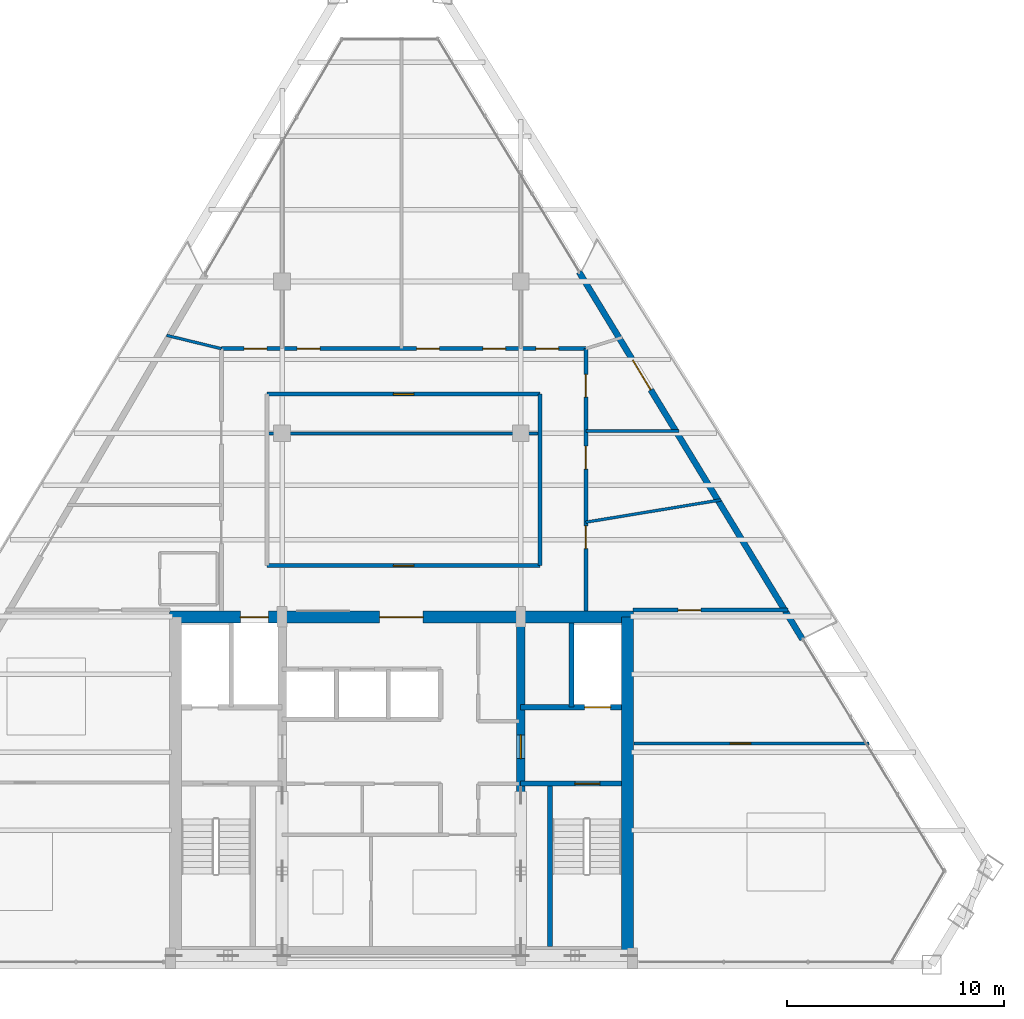
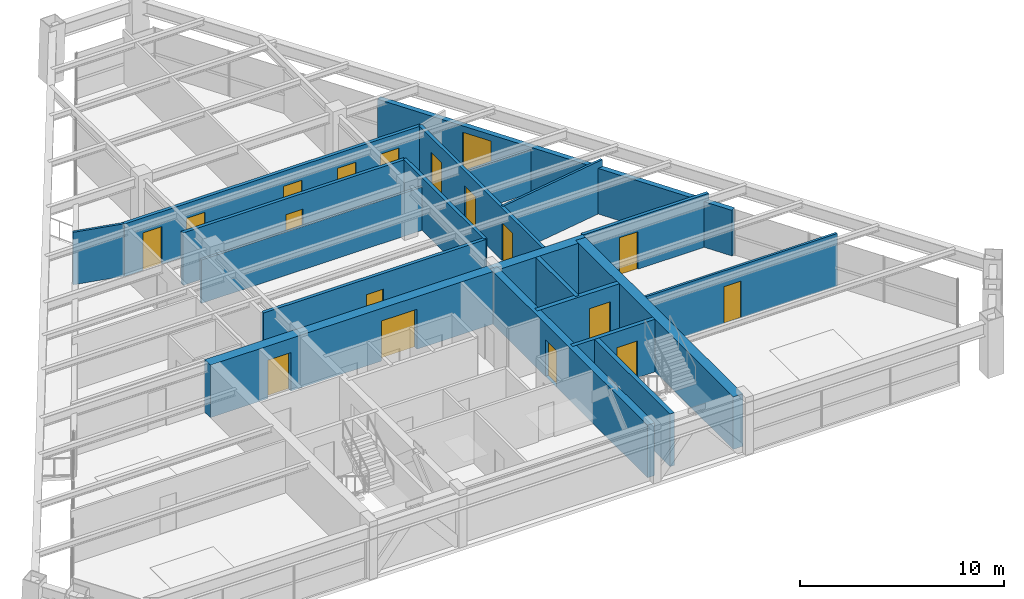
# One storey, part 10 of 13: 19 walls, 18 doors, 18 openings.
"""IFC4 building model written with IfcOpenShell, lengths in metres."""

from ifc_helpers import new_model, si_unit, direction, frame, frame_2d, origin, place, context, subcontext, project, spatial, rectangle, extrude, source, transform, mapped, material, layer, layer_set, type_object, type_shapes, element, fill, save


model = new_model("IFC4")

# Units and contexts
model_context = context("Model", 3, precision=1e-05, world=origin(), true_north=direction((0.0, 1.0)))
body_context = subcontext(model_context, "Body", "Model", "MODEL_VIEW")
ifc_project = project(units=[si_unit("LENGTHUNIT", "METRE"), si_unit("AREAUNIT", "SQUARE_METRE"), si_unit("VOLUMEUNIT", "CUBIC_METRE"), si_unit("PLANEANGLEUNIT", "RADIAN"), si_unit("MASSUNIT", "GRAM", prefix="KILO")], contexts=[model_context])

# Site, building, storey
site_placement = place(None, origin())
site = spatial("IfcSite", under=ifc_project, at=site_placement, CompositionType="ELEMENT")
building_placement = place(site_placement, origin())
building = spatial("IfcBuilding", under=site, at=building_placement, Name="Varnakhor Terracotta Tower", CompositionType="ELEMENT")
storey_placement = place(building_placement, frame((0.0, 0.0, 254.5)))
storey = spatial("IfcBuildingStorey", under=building, at=storey_placement, Name="L66", CompositionType="ELEMENT", Elevation=254.5)

# Wall, openings, doors
ifc_material_1 = material(Name="Concrete C50/60", Category="concrete")
ifc_layer_1 = layer(ifc_material_1, 0.550048828125, Name="Concrete C50/60")
ifc_layer_set_1 = layer_set([ifc_layer_1], Name="Concrete C50/60")
wall_type_1 = type_object("IfcWallType", Name="WAL-CORE-550", PredefinedType="SHEAR", material=ifc_layer_set_1)
wall_1_placement = place(storey_placement, frame((-10.699951171875, 16.02490234375, 0.0), z_axis=(0.0, 0.0, 1.0), x_axis=(1.0, 0.0, 0.0)))
wall_1 = element("IfcWall", 1, at=wall_1_placement, inside=storey, type_object=wall_type_1, Name="L66 North Core Shear Wall", PredefinedType="SHEAR", context=body_context, shape_type="SweptSolid", body=[
    extrude(rectangle(XDim=21.39990234375, YDim=0.550048828125, at=frame_2d((10.699951171875, 0.0))), origin(), (0.0, 0.0, 1.0), 3.14990234375),
])
opening_1_placement = place(wall_1_placement, frame((3.27001953125, 0.0, 0.0)))
opening_1 = element("IfcOpeningElement", 2, at=opening_1_placement, cuts=wall_1, Name="Opening LD-03", PredefinedType="OPENING", context=body_context, shape_type="SweptSolid", body=[
    extrude(rectangle(XDim=1.300048828125, YDim=2.300048828125, at=frame_2d((0.64990234375, 1.14990234375))), frame((0.0, 0.28515625, 0.0), z_axis=(0.0, -1.0, 0.0), x_axis=(1.0, 0.0, 0.0)), (0.0, 0.0, 1.0), 0.570068359375),
])
opening_2_placement = place(wall_1_placement, frame((9.699951171875, 0.0, 0.0)))
opening_2 = element("IfcOpeningElement", 3, at=opening_2_placement, cuts=wall_1, Name="Opening DR-32", PredefinedType="OPENING", context=body_context, shape_type="SweptSolid", body=[
    extrude(rectangle(XDim=2.0, YDim=2.39990234375, at=frame_2d((1.0, 1.199951171875))), frame((0.0, 0.28515625, 0.0), z_axis=(0.0, -1.0, 0.0), x_axis=(1.0, 0.0, 0.0)), (0.0, 0.0, 1.0), 0.570068359375),
])
ifc_material_2 = material(Name="Heavy-Duty Goods Sliding Lift Landing Door", Category="steel")
door_type_1 = type_object("IfcDoorType", Name="LD-SRV-1300X2300", OperationType="NOTDEFINED", PredefinedType="DOOR", material=ifc_material_2)
shared_shape_1 = source(origin(), body_context, "Body", "SweptSolid", [
    extrude(rectangle(XDim=1.300048828125, YDim=2.300048828125, at=frame_2d((0.64990234375, 1.14990234375))), frame((0.0, 0.02490234375, 0.0), z_axis=(0.0, -1.0, 0.0), x_axis=(1.0, 0.0, 0.0)), (0.0, 0.0, 1.0), 0.050048828125),
])
type_shapes(door_type_1, [shared_shape_1])
door_1_placement = place(opening_1_placement, origin())
door_1 = element("IfcDoor", 4, at=door_1_placement, inside=storey, type_object=door_type_1, Name="L66 Service Lift SVL-1 Landing Door", OperationType="SLIDING_TO_RIGHT", OverallHeight=2.300048828125, OverallWidth=1.300048828125, PredefinedType="DOOR", context=body_context, shape_type="MappedRepresentation", body=[
    mapped(shared_shape_1, transform((0.0, 0.0, 0.0), scale=1.0)),
])
fill(opening_1, door_1)
ifc_material_3 = material(Name="Acoustic Double Assembly Fire Door", Category="wood")
door_type_2 = type_object("IfcDoorType", Name="DR-HALL-2000X2400", OperationType="NOTDEFINED", PredefinedType="DOOR", material=ifc_material_3)
shared_shape_2 = source(origin(), body_context, "Body", "SweptSolid", [
    extrude(rectangle(XDim=2.0, YDim=2.39990234375, at=frame_2d((1.0, 1.199951171875))), frame((0.0, 0.02490234375, 0.0), z_axis=(0.0, -1.0, 0.0), x_axis=(1.0, 0.0, 0.0)), (0.0, 0.0, 1.0), 0.050048828125),
])
type_shapes(door_type_2, [shared_shape_2])
door_2_placement = place(opening_2_placement, origin())
door_2 = element("IfcDoor", 5, at=door_2_placement, inside=storey, type_object=door_type_2, Name="L66 Core Main Lobby Double Door", OperationType="DOUBLE_DOOR_SINGLE_SWING", OverallHeight=2.39990234375, OverallWidth=2.0, PredefinedType="DOOR", context=body_context, shape_type="MappedRepresentation", body=[
    mapped(shared_shape_2, transform((0.0, 0.0, 0.0), scale=1.0)),
])
fill(opening_2, door_2)

# Wall
wall_2_placement = place(storey_placement, frame((10.425048828125, 0.574951171875, 0.0), z_axis=(0.0, 0.0, 1.0), x_axis=(0.0, 1.0, 0.0)))
element("IfcWall", 6, at=wall_2_placement, inside=storey, type_object=wall_type_1, Name="L66 East Core Shear Wall", PredefinedType="SHEAR", context=body_context, shape_type="SweptSolid", body=[
    extrude(rectangle(XDim=15.449951171875, YDim=0.550048828125, at=frame_2d((7.72509765625, 0.0))), origin(), (0.0, 0.0, 1.0), 3.14990234375),
])

# Wall, opening, door
ifc_layer_2 = layer(ifc_material_1, 0.39990234375, Name="Concrete C50/60")
ifc_layer_set_2 = layer_set([ifc_layer_2], Name="Concrete C50/60")
wall_type_2 = type_object("IfcWallType", Name="WAL-CORE-WEB-400", PredefinedType="SHEAR", material=ifc_layer_set_2)
wall_3_placement = place(storey_placement, frame((5.5, 0.574951171875, 0.0), z_axis=(0.0, 0.0, 1.0), x_axis=(0.0, 1.0, 0.0)))
wall_3 = element("IfcWall", 7, at=wall_3_placement, inside=storey, type_object=wall_type_2, Name="L66 East Core Web Shear Wall", PredefinedType="SHEAR", context=body_context, shape_type="SweptSolid", body=[
    extrude(rectangle(XDim=15.449951171875, YDim=0.39990234375, at=frame_2d((7.72509765625, 0.0))), origin(), (0.0, 0.0, 1.0), 3.14990234375),
])
opening_3_placement = place(wall_3_placement, frame((8.925048828125, 0.0, 0.0)))
opening_3 = element("IfcOpeningElement", 8, at=opening_3_placement, cuts=wall_3, Name="Opening DR-25", PredefinedType="OPENING", context=body_context, shape_type="SweptSolid", body=[
    extrude(rectangle(XDim=1.10009765625, YDim=2.199951171875, at=frame_2d((0.550048828125, 1.10009765625))), frame((0.0, 0.2099609375, 0.0), z_axis=(0.0, -1.0, 0.0), x_axis=(1.0, 0.0, 0.0)), (0.0, 0.0, 1.0), 0.419921875),
])
ifc_material_4 = material(Name="Firefighting Lobby Self-Closing Fire Door", Category="steel")
door_type_3 = type_object("IfcDoorType", Name="DR-FFL-1100X2200", OperationType="NOTDEFINED", PredefinedType="DOOR", material=ifc_material_4)
shared_shape_3 = source(origin(), body_context, "Body", "SweptSolid", [
    extrude(rectangle(XDim=1.10009765625, YDim=2.199951171875, at=frame_2d((0.550048828125, 1.10009765625))), frame((0.0, 0.02490234375, 0.0), z_axis=(0.0, -1.0, 0.0), x_axis=(1.0, 0.0, 0.0)), (0.0, 0.0, 1.0), 0.050048828125),
])
type_shapes(door_type_3, [shared_shape_3])
door_3_placement = place(opening_3_placement, origin())
door_3 = element("IfcDoor", 9, at=door_3_placement, inside=storey, type_object=door_type_3, Name="L66 East Firefighting Lobby Door", OperationType="SINGLE_SWING_RIGHT", OverallHeight=2.199951171875, OverallWidth=1.10009765625, PredefinedType="DOOR", context=body_context, shape_type="MappedRepresentation", body=[
    mapped(shared_shape_3, transform((0.0, 0.0, 0.0), scale=1.0)),
])
fill(opening_3, door_3)

ifc_material_5 = material(Name="Fire-Rated Gypsum Stud Partition", Category="gypsum")
ifc_layer_3 = layer(ifc_material_5, 0.18505859375, Name="Fire-Rated Gypsum Stud Partition")
ifc_layer_set_3 = layer_set([ifc_layer_3], Name="Fire-Rated Gypsum Stud Partition")
wall_type_3 = type_object("IfcWallType", Name="WAL-CORR-185", PredefinedType="PARTITIONING", material=ifc_layer_set_3)
wall_4_placement = place(storey_placement, frame((-6.199951171875, 18.39990234375, 0.0), z_axis=(0.0, 0.0, 1.0), x_axis=(1.0, 0.0, 0.0)))
wall_4 = element("IfcWall", 10, at=wall_4_placement, inside=storey, type_object=wall_type_3, Name="L66 Ring Inner South Wall", PredefinedType="PARTITIONING", context=body_context, shape_type="SweptSolid", body=[
    extrude(rectangle(XDim=12.599853515625, YDim=0.18505859375, at=frame_2d((6.2998046875, 0.0))), origin(), (0.0, 0.0, 1.0), 3.14208984375),
])
opening_4_placement = place(wall_4_placement, frame((5.824951171875, 0.0, 0.0)))
opening_4 = element("IfcOpeningElement", 11, at=opening_4_placement, cuts=wall_4, Name="Opening DR-94", PredefinedType="OPENING", context=body_context, shape_type="SweptSolid", body=[
    extrude(rectangle(XDim=0.949951171875, YDim=2.199951171875, at=frame_2d((0.47509765625, 1.10009765625))), frame((0.0, 0.1025390625, 0.0), z_axis=(0.0, -1.0, 0.0), x_axis=(1.0, 0.0, 0.0)), (0.0, 0.0, 1.0), 0.205078125),
])
ifc_material_6 = material(Name="Acoustic Glazed-Vision Timber Office Door", Category="wood")
door_type_4 = type_object("IfcDoorType", Name="DR-OFF-950X2200", OperationType="NOTDEFINED", PredefinedType="DOOR", material=ifc_material_6)
shared_shape_4 = source(origin(), body_context, "Body", "SweptSolid", [
    extrude(rectangle(XDim=0.949951171875, YDim=2.199951171875, at=frame_2d((0.47509765625, 1.10009765625))), frame((0.0, 0.02490234375, 0.0), z_axis=(0.0, -1.0, 0.0), x_axis=(1.0, 0.0, 0.0)), (0.0, 0.0, 1.0), 0.050048828125),
])
type_shapes(door_type_4, [shared_shape_4])
door_4_placement = place(opening_4_placement, origin())
door_4 = element("IfcDoor", 12, at=door_4_placement, inside=storey, type_object=door_type_4, Name="L66 Housekeeping Station Door", OperationType="SINGLE_SWING_LEFT", OverallHeight=2.199951171875, OverallWidth=0.949951171875, PredefinedType="DOOR", context=body_context, shape_type="MappedRepresentation", body=[
    mapped(shared_shape_4, transform((0.0, 0.0, 0.0), scale=1.0)),
])
fill(opening_4, door_4)

wall_5_placement = place(storey_placement, frame((-6.199951171875, 26.300048828125, 0.0), z_axis=(0.0, 0.0, 1.0), x_axis=(1.0, 0.0, 0.0)))
wall_5 = element("IfcWall", 13, at=wall_5_placement, inside=storey, type_object=wall_type_3, Name="L66 Ring Inner North Wall", PredefinedType="PARTITIONING", context=body_context, shape_type="SweptSolid", body=[
    extrude(rectangle(XDim=12.599853515625, YDim=0.18505859375, at=frame_2d((6.2998046875, 0.0))), origin(), (0.0, 0.0, 1.0), 3.14208984375),
])
opening_5_placement = place(wall_5_placement, frame((5.824951171875, 0.0, 0.0)))
opening_5 = element("IfcOpeningElement", 14, at=opening_5_placement, cuts=wall_5, Name="Opening DR-94", PredefinedType="OPENING", context=body_context, shape_type="SweptSolid", body=[
    extrude(rectangle(XDim=0.949951171875, YDim=2.199951171875, at=frame_2d((0.47509765625, 1.10009765625))), frame((0.0, 0.1025390625, 0.0), z_axis=(0.0, -1.0, 0.0), x_axis=(1.0, 0.0, 0.0)), (0.0, 0.0, 1.0), 0.205078125),
])
door_5_placement = place(opening_5_placement, origin())
door_5 = element("IfcDoor", 15, at=door_5_placement, inside=storey, type_object=door_type_4, Name="L66 Inner Service Door", OperationType="SINGLE_SWING_RIGHT", OverallHeight=2.199951171875, OverallWidth=0.949951171875, PredefinedType="DOOR", context=body_context, shape_type="MappedRepresentation", body=[
    mapped(shared_shape_4, transform((0.0, 0.0, 0.0), scale=1.0)),
])
fill(opening_5, door_5)

# Wall
wall_6_placement = place(storey_placement, frame((6.39990234375, 18.39990234375, 0.0), z_axis=(0.0, 0.0, 1.0), x_axis=(0.0, 1.0, 0.0)))
element("IfcWall", 16, at=wall_6_placement, inside=storey, type_object=wall_type_3, Name="L66 Ring Inner East Wall", PredefinedType="PARTITIONING", context=body_context, shape_type="SweptSolid", body=[
    extrude(rectangle(XDim=7.900146484375, YDim=0.18505859375, at=frame_2d((3.9501953125, 0.0))), origin(), (0.0, 0.0, 1.0), 3.14208984375),
])

# Wall, openings, doors
wall_7_placement = place(storey_placement, frame((8.5, 16.300048828125, 0.0), z_axis=(0.0, 0.0, 1.0), x_axis=(0.0, 1.0, 0.0)))
wall_7 = element("IfcWall", 17, at=wall_7_placement, inside=storey, type_object=wall_type_3, Name="L66 Hotel East Corridor Wall", PredefinedType="PARTITIONING", context=body_context, shape_type="SweptSolid", body=[
    extrude(rectangle(XDim=12.099853515625, YDim=0.18505859375, at=frame_2d((6.0498046875, 0.0))), origin(), (0.0, 0.0, 1.0), 3.14208984375),
])
opening_6_placement = place(wall_7_placement, frame((2.88232421875, 0.0, 0.0)))
opening_6 = element("IfcOpeningElement", 18, at=opening_6_placement, cuts=wall_7, Name="Opening DR-95", PredefinedType="OPENING", context=body_context, shape_type="SweptSolid", body=[
    extrude(rectangle(XDim=1.050048828125, YDim=2.25, at=frame_2d((0.52490234375, 1.125))), frame((0.0, 0.1025390625, 0.0), z_axis=(0.0, -1.0, 0.0), x_axis=(1.0, 0.0, 0.0)), (0.0, 0.0, 1.0), 0.205078125),
])
opening_7_placement = place(wall_7_placement, frame((6.552490234375, 0.0, 0.0)))
opening_7 = element("IfcOpeningElement", 19, at=opening_7_placement, cuts=wall_7, Name="Opening DR-95", PredefinedType="OPENING", context=body_context, shape_type="SweptSolid", body=[
    extrude(rectangle(XDim=1.050048828125, YDim=2.25, at=frame_2d((0.52490234375, 1.125))), frame((0.0, 0.1025390625, 0.0), z_axis=(0.0, -1.0, 0.0), x_axis=(1.0, 0.0, 0.0)), (0.0, 0.0, 1.0), 0.205078125),
])
opening_8_placement = place(wall_7_placement, frame((9.864501953125, 0.0, 0.0)))
opening_8 = element("IfcOpeningElement", 20, at=opening_8_placement, cuts=wall_7, Name="Opening DR-95", PredefinedType="OPENING", context=body_context, shape_type="SweptSolid", body=[
    extrude(rectangle(XDim=1.050048828125, YDim=2.25, at=frame_2d((0.52490234375, 1.125))), frame((0.0, 0.1025390625, 0.0), z_axis=(0.0, -1.0, 0.0), x_axis=(1.0, 0.0, 0.0)), (0.0, 0.0, 1.0), 0.205078125),
])
ifc_material_7 = material(Name="Solid-Core Timber Tenant/Hotel Entrance Door", Category="wood")
door_type_5 = type_object("IfcDoorType", Name="DR-SUITE-1050X2250", OperationType="NOTDEFINED", PredefinedType="DOOR", material=ifc_material_7)
shared_shape_5 = source(origin(), body_context, "Body", "SweptSolid", [
    extrude(rectangle(XDim=1.050048828125, YDim=2.25, at=frame_2d((0.52490234375, 1.125))), frame((0.0, 0.02490234375, 0.0), z_axis=(0.0, -1.0, 0.0), x_axis=(1.0, 0.0, 0.0)), (0.0, 0.0, 1.0), 0.050048828125),
])
type_shapes(door_type_5, [shared_shape_5])
door_6_placement = place(opening_6_placement, origin())
door_6 = element("IfcDoor", 21, at=door_6_placement, inside=storey, type_object=door_type_5, Name="L66 East Room 1 Entry Door", OperationType="SINGLE_SWING_RIGHT", OverallHeight=2.25, OverallWidth=1.050048828125, PredefinedType="DOOR", context=body_context, shape_type="MappedRepresentation", body=[
    mapped(shared_shape_5, transform((0.0, 0.0, 0.0), scale=1.0)),
])
fill(opening_6, door_6)
door_7_placement = place(opening_7_placement, origin())
door_7 = element("IfcDoor", 22, at=door_7_placement, inside=storey, type_object=door_type_5, Name="L66 East Room 2 Entry Door", OperationType="SINGLE_SWING_LEFT", OverallHeight=2.25, OverallWidth=1.050048828125, PredefinedType="DOOR", context=body_context, shape_type="MappedRepresentation", body=[
    mapped(shared_shape_5, transform((0.0, 0.0, 0.0), scale=1.0)),
])
fill(opening_7, door_7)
door_8_placement = place(opening_8_placement, origin())
door_8 = element("IfcDoor", 23, at=door_8_placement, inside=storey, type_object=door_type_5, Name="L66 East Room 3 Entry Door", OperationType="SINGLE_SWING_RIGHT", OverallHeight=2.25, OverallWidth=1.050048828125, PredefinedType="DOOR", context=body_context, shape_type="MappedRepresentation", body=[
    mapped(shared_shape_5, transform((0.0, 0.0, 0.0), scale=1.0)),
])
fill(opening_8, door_8)

wall_8_placement = place(storey_placement, frame((-8.300048828125, 28.39990234375, 0.0), z_axis=(0.0, 0.0, 1.0), x_axis=(1.0, 0.0, 0.0)))
wall_8 = element("IfcWall", 24, at=wall_8_placement, inside=storey, type_object=wall_type_3, Name="L66 Hotel North Corridor Wall", PredefinedType="PARTITIONING", context=body_context, shape_type="SweptSolid", body=[
    extrude(rectangle(XDim=16.800048828125, YDim=0.18505859375, at=frame_2d((8.39990234375, 0.0))), origin(), (0.0, 0.0, 1.0), 3.14208984375),
])
opening_9_placement = place(wall_8_placement, frame((3.49755859375, 0.0, 0.0)))
opening_9 = element("IfcOpeningElement", 25, at=opening_9_placement, cuts=wall_8, Name="Opening DR-95", PredefinedType="OPENING", context=body_context, shape_type="SweptSolid", body=[
    extrude(rectangle(XDim=1.050048828125, YDim=2.25, at=frame_2d((0.52490234375, 1.125))), frame((0.0, 0.1025390625, 0.0), z_axis=(0.0, -1.0, 0.0), x_axis=(1.0, 0.0, 0.0)), (0.0, 0.0, 1.0), 0.205078125),
])
opening_10_placement = place(wall_8_placement, frame((8.99755859375, 0.0, 0.0)))
opening_10 = element("IfcOpeningElement", 26, at=opening_10_placement, cuts=wall_8, Name="Opening DR-95", PredefinedType="OPENING", context=body_context, shape_type="SweptSolid", body=[
    extrude(rectangle(XDim=1.050048828125, YDim=2.25, at=frame_2d((0.52490234375, 1.125))), frame((0.0, 0.1025390625, 0.0), z_axis=(0.0, -1.0, 0.0), x_axis=(1.0, 0.0, 0.0)), (0.0, 0.0, 1.0), 0.205078125),
])
opening_11_placement = place(wall_8_placement, frame((12.052490234375, 0.0, 0.0)))
opening_11 = element("IfcOpeningElement", 27, at=opening_11_placement, cuts=wall_8, Name="Opening DR-95", PredefinedType="OPENING", context=body_context, shape_type="SweptSolid", body=[
    extrude(rectangle(XDim=1.050048828125, YDim=2.25, at=frame_2d((0.52490234375, 1.125))), frame((0.0, 0.1025390625, 0.0), z_axis=(0.0, -1.0, 0.0), x_axis=(1.0, 0.0, 0.0)), (0.0, 0.0, 1.0), 0.205078125),
])
opening_12_placement = place(wall_8_placement, frame((14.49755859375, 0.0, 0.0)))
opening_12 = element("IfcOpeningElement", 28, at=opening_12_placement, cuts=wall_8, Name="Opening DR-95", PredefinedType="OPENING", context=body_context, shape_type="SweptSolid", body=[
    extrude(rectangle(XDim=1.050048828125, YDim=2.25, at=frame_2d((0.52490234375, 1.125))), frame((0.0, 0.1025390625, 0.0), z_axis=(0.0, -1.0, 0.0), x_axis=(1.0, 0.0, 0.0)), (0.0, 0.0, 1.0), 0.205078125),
])
opening_13_placement = place(wall_8_placement, frame((1.052490234375, 0.0, 0.0)))
opening_13 = element("IfcOpeningElement", 29, at=opening_13_placement, cuts=wall_8, Name="Opening DR-95", PredefinedType="OPENING", context=body_context, shape_type="SweptSolid", body=[
    extrude(rectangle(XDim=1.050048828125, YDim=2.25, at=frame_2d((0.52490234375, 1.125))), frame((0.0, 0.1025390625, 0.0), z_axis=(0.0, -1.0, 0.0), x_axis=(1.0, 0.0, 0.0)), (0.0, 0.0, 1.0), 0.205078125),
])
door_9_placement = place(opening_9_placement, origin())
door_9 = element("IfcDoor", 30, at=door_9_placement, inside=storey, type_object=door_type_5, Name="L66 North Suite 1 Entry Door", OperationType="SINGLE_SWING_LEFT", OverallHeight=2.25, OverallWidth=1.050048828125, PredefinedType="DOOR", context=body_context, shape_type="MappedRepresentation", body=[
    mapped(shared_shape_5, transform((0.0, 0.0, 0.0), scale=1.0)),
])
fill(opening_9, door_9)
door_10_placement = place(opening_10_placement, origin())
door_10 = element("IfcDoor", 31, at=door_10_placement, inside=storey, type_object=door_type_5, Name="L66 North Suite 2 Entry Door", OperationType="SINGLE_SWING_RIGHT", OverallHeight=2.25, OverallWidth=1.050048828125, PredefinedType="DOOR", context=body_context, shape_type="MappedRepresentation", body=[
    mapped(shared_shape_5, transform((0.0, 0.0, 0.0), scale=1.0)),
])
fill(opening_10, door_10)
door_11_placement = place(opening_11_placement, origin())
door_11 = element("IfcDoor", 32, at=door_11_placement, inside=storey, type_object=door_type_5, Name="L66 North Suite 3 Entry Door", OperationType="SINGLE_SWING_LEFT", OverallHeight=2.25, OverallWidth=1.050048828125, PredefinedType="DOOR", context=body_context, shape_type="MappedRepresentation", body=[
    mapped(shared_shape_5, transform((0.0, 0.0, 0.0), scale=1.0)),
])
fill(opening_11, door_11)
door_12_placement = place(opening_12_placement, origin())
door_12 = element("IfcDoor", 33, at=door_12_placement, inside=storey, type_object=door_type_5, Name="L66 Press Office NE Door", OperationType="SINGLE_SWING_RIGHT", OverallHeight=2.25, OverallWidth=1.050048828125, PredefinedType="DOOR", context=body_context, shape_type="MappedRepresentation", body=[
    mapped(shared_shape_5, transform((0.0, 0.0, 0.0), scale=1.0)),
])
fill(opening_12, door_12)
door_13_placement = place(opening_13_placement, origin())
door_13 = element("IfcDoor", 34, at=door_13_placement, inside=storey, type_object=door_type_5, Name="L66 Press Office NW Door", OperationType="SINGLE_SWING_LEFT", OverallHeight=2.25, OverallWidth=1.050048828125, PredefinedType="DOOR", context=body_context, shape_type="MappedRepresentation", body=[
    mapped(shared_shape_5, transform((0.0, 0.0, 0.0), scale=1.0)),
])
fill(opening_13, door_13)

# Wall, opening, door
wall_9_placement = place(storey_placement, frame((10.679931640625, 16.35009765625, 0.0), z_axis=(0.0, 0.0, 1.0), x_axis=(1.0, 0.0, 0.0)))
wall_9 = element("IfcWall", 35, at=wall_9_placement, inside=storey, type_object=wall_type_3, Name="L66 South East Guest Entry Wall", PredefinedType="PARTITIONING", context=body_context, shape_type="SweptSolid", body=[
    extrude(rectangle(XDim=7.14208984375, YDim=0.18505859375, at=frame_2d((3.571044921875, 0.0))), origin(), (0.0, 0.0, 1.0), 3.14208984375),
])
opening_14_placement = place(wall_9_placement, frame((2.07666015625, 0.0, 0.0)))
opening_14 = element("IfcOpeningElement", 36, at=opening_14_placement, cuts=wall_9, Name="Opening DR-95", PredefinedType="OPENING", context=body_context, shape_type="SweptSolid", body=[
    extrude(rectangle(XDim=1.050048828125, YDim=2.25, at=frame_2d((0.52490234375, 1.125))), frame((0.0, 0.1025390625, 0.0), z_axis=(0.0, -1.0, 0.0), x_axis=(1.0, 0.0, 0.0)), (0.0, 0.0, 1.0), 0.205078125),
])
door_14_placement = place(opening_14_placement, origin())
door_14 = element("IfcDoor", 37, at=door_14_placement, inside=storey, type_object=door_type_5, Name="L66 SE Suite Entry Door", OperationType="SINGLE_SWING_RIGHT", OverallHeight=2.25, OverallWidth=1.050048828125, PredefinedType="DOOR", context=body_context, shape_type="MappedRepresentation", body=[
    mapped(shared_shape_5, transform((0.0, 0.0, 0.0), scale=1.0)),
])
fill(opening_14, door_14)

ifc_material_8 = material(Name="Extruded Architectural Terracotta Assembly", Category="masonry")
ifc_layer_4 = layer(ifc_material_8, 0.280029296875, Name="Extruded Architectural Terracotta Assembly")
ifc_layer_set_4 = layer_set([ifc_layer_4], Name="Extruded Architectural Terracotta Assembly")
wall_type_4 = type_object("IfcWallType", Name="WAL-EXT-TERRACOTTA-280", PredefinedType="SOLIDWALL", material=ifc_layer_set_4)
wall_10_placement = place(storey_placement, frame((8.19189453125, 31.93310546875, 0.0), z_axis=(0.0, 0.0, 1.0), x_axis=(0.51964514921, -0.854382185502, 0.0)))
wall_10 = element("IfcWall", 38, at=wall_10_placement, inside=storey, type_object=wall_type_4, Name="L66 E Loggia Insulated Terracotta Wall", PredefinedType="SOLIDWALL", context=body_context, shape_type="SweptSolid", body=[
    extrude(rectangle(XDim=19.814208984375, YDim=0.280029296875, at=frame_2d((9.9072265625, 0.0))), origin(), (0.0, 0.0, 1.0), 2.72998046875),
])
opening_15_placement = place(wall_10_placement, frame((4.75537109375, 0.0, 0.0)))
opening_15 = element("IfcOpeningElement", 39, at=opening_15_placement, cuts=wall_10, Name="Opening DR-62", PredefinedType="OPENING", context=body_context, shape_type="SweptSolid", body=[
    extrude(rectangle(XDim=1.60009765625, YDim=2.35009765625, at=frame_2d((0.800048828125, 1.175048828125))), frame((0.0, 0.14990234375, 0.0), z_axis=(0.0, -1.0, 0.0), x_axis=(1.0, 0.0, 0.0)), (0.0, 0.0, 1.0), 0.300048828125),
])
ifc_material_9 = material(Name="Thermally Broken Sliding Glass Loggia Door", Category="glass")
door_type_6 = type_object("IfcDoorType", Name="DR-EXT-LOGGIA-1600X2350", OperationType="NOTDEFINED", PredefinedType="DOOR", material=ifc_material_9)
shared_shape_6 = source(origin(), body_context, "Body", "SweptSolid", [
    extrude(rectangle(XDim=1.60009765625, YDim=2.35009765625, at=frame_2d((0.800048828125, 1.175048828125))), frame((0.0, 0.02490234375, 0.0), z_axis=(0.0, -1.0, 0.0), x_axis=(1.0, 0.0, 0.0)), (0.0, 0.0, 1.0), 0.050048828125),
])
type_shapes(door_type_6, [shared_shape_6])
door_15_placement = place(opening_15_placement, origin())
door_15 = element("IfcDoor", 40, at=door_15_placement, inside=storey, type_object=door_type_6, Name="L66 E Recessed Loggia Sliding Door", OperationType="SLIDING_TO_RIGHT", OverallHeight=2.35009765625, OverallWidth=1.60009765625, PredefinedType="DOOR", context=body_context, shape_type="MappedRepresentation", body=[
    mapped(shared_shape_6, transform((0.0, 0.0, 0.0), scale=1.0)),
])
fill(opening_15, door_15)

ifc_material_10 = material(Name="Concrete C40/50", Category="concrete")
ifc_layer_5 = layer(ifc_material_10, 0.219970703125, Name="Concrete C40/50")
ifc_layer_set_5 = layer_set([ifc_layer_5], Name="Concrete C40/50")
wall_type_5 = type_object("IfcWallType", Name="WAL-FFLOBBY-220", PredefinedType="SOLIDWALL", material=ifc_layer_set_5)
wall_11_placement = place(storey_placement, frame((10.14990234375, 8.35009765625, 0.0), z_axis=(0.0, 0.0, 1.0), x_axis=(-1.0, 0.0, 0.0)))
wall_11 = element("IfcWall", 41, at=wall_11_placement, inside=storey, type_object=wall_type_5, Name="L66 East Firefighting Lobby Stair Wall", PredefinedType="SOLIDWALL", context=body_context, shape_type="SweptSolid", body=[
    extrude(rectangle(XDim=4.64990234375, YDim=0.219970703125, at=frame_2d((2.324951171875, 0.0))), origin(), (0.0, 0.0, 1.0), 3.14990234375),
])
opening_16_placement = place(wall_11_placement, frame((1.0, 0.0, 0.0)))
opening_16 = element("IfcOpeningElement", 42, at=opening_16_placement, cuts=wall_11, Name="Opening DR-34", PredefinedType="OPENING", context=body_context, shape_type="SweptSolid", body=[
    extrude(rectangle(XDim=1.14990234375, YDim=2.199951171875, at=frame_2d((0.574951171875, 1.10009765625))), frame((0.0, 0.1201171875, 0.0), z_axis=(0.0, -1.0, 0.0), x_axis=(1.0, 0.0, 0.0)), (0.0, 0.0, 1.0), 0.239990234375),
])
ifc_material_11 = material(Name="Self-Closing Smoke-Sealed Steel Fire Door", Category="steel")
door_type_7 = type_object("IfcDoorType", Name="DR-STAIR-1150X2200", OperationType="NOTDEFINED", PredefinedType="DOOR", material=ifc_material_11)
shared_shape_7 = source(origin(), body_context, "Body", "SweptSolid", [
    extrude(rectangle(XDim=1.14990234375, YDim=2.199951171875, at=frame_2d((0.574951171875, 1.10009765625))), frame((0.0, 0.02490234375, 0.0), z_axis=(0.0, -1.0, 0.0), x_axis=(1.0, 0.0, 0.0)), (0.0, 0.0, 1.0), 0.050048828125),
])
type_shapes(door_type_7, [shared_shape_7])
door_16_placement = place(opening_16_placement, origin())
door_16 = element("IfcDoor", 43, at=door_16_placement, inside=storey, type_object=door_type_7, Name="L66 Exit Stair ST-2 Fire Door", OperationType="SINGLE_SWING_LEFT", OverallHeight=2.199951171875, OverallWidth=1.14990234375, PredefinedType="DOOR", context=body_context, shape_type="MappedRepresentation", body=[
    mapped(shared_shape_7, transform((0.0, 0.0, 0.0), scale=1.0)),
])
fill(opening_16, door_16)

# Wall
ifc_material_12 = material(Name="Acoustic Hotel Room Partition", Category="gypsum")
ifc_layer_6 = layer(ifc_material_12, 0.1298828125, Name="Acoustic Hotel Room Partition")
ifc_layer_set_6 = layer_set([ifc_layer_6], Name="Acoustic Hotel Room Partition")
wall_type_6 = type_object("IfcWallType", Name="WAL-PART-130", PredefinedType="PARTITIONING", material=ifc_layer_set_6)
wall_12_placement = place(storey_placement, frame((-10.8251953125, 29.01513671875, 0.0), z_axis=(0.0, 0.0, 1.0), x_axis=(0.971578327302, -0.236718300764, 0.0)))
element("IfcWall", 44, at=wall_12_placement, inside=storey, type_object=wall_type_6, Name="L66 North West Suite South Wall", PredefinedType="PARTITIONING", context=body_context, shape_type="SweptSolid", body=[
    extrude(rectangle(XDim=2.59912109375, YDim=0.1298828125, at=frame_2d((1.299560546875, 0.0))), origin(), (0.0, 0.0, 1.0), 3.14208984375),
])

# Wall, opening, door
wall_13_placement = place(storey_placement, frame((10.719970703125, 10.199951171875, 0.0), z_axis=(0.0, 0.0, 1.0), x_axis=(1.0, 0.0, 0.0)))
wall_13 = element("IfcWall", 45, at=wall_13_placement, inside=storey, type_object=wall_type_6, Name="L66 SE Key Split 1", PredefinedType="PARTITIONING", context=body_context, shape_type="SweptSolid", body=[
    extrude(rectangle(XDim=10.842529296875, YDim=0.1298828125, at=frame_2d((5.42138671875, 0.0))), origin(), (0.0, 0.0, 1.0), 3.14208984375),
])
opening_17_placement = place(wall_13_placement, frame((4.438232421875, 0.0, 0.0)))
opening_17 = element("IfcOpeningElement", 46, at=opening_17_placement, cuts=wall_13, Name="Opening DR-94", PredefinedType="OPENING", context=body_context, shape_type="SweptSolid", body=[
    extrude(rectangle(XDim=0.949951171875, YDim=2.199951171875, at=frame_2d((0.47509765625, 1.10009765625))), frame((0.0, 0.074951171875, 0.0), z_axis=(0.0, -1.0, 0.0), x_axis=(1.0, 0.0, 0.0)), (0.0, 0.0, 1.0), 0.14990234375),
])
door_17_placement = place(opening_17_placement, origin())
door_17 = element("IfcDoor", 47, at=door_17_placement, inside=storey, type_object=door_type_4, Name="L66 SE Suite Connect Door 1", OperationType="SINGLE_SWING_RIGHT", OverallHeight=2.199951171875, OverallWidth=0.949951171875, PredefinedType="DOOR", context=body_context, shape_type="MappedRepresentation", body=[
    mapped(shared_shape_4, transform((0.0, 0.0, 0.0), scale=1.0)),
])
fill(opening_17, door_17)

# Walls
wall_14_placement = place(storey_placement, frame((8.5, 20.39990234375, 0.0), z_axis=(0.0, 0.0, 1.0), x_axis=(0.986649667214, 0.16285709744, 0.0)))
element("IfcWall", 48, at=wall_14_placement, inside=storey, type_object=wall_type_6, Name="L66 East Key Cut 1", PredefinedType="PARTITIONING", context=body_context, shape_type="SweptSolid", body=[
    extrude(rectangle(XDim=6.317138671875, YDim=0.1298828125, at=frame_2d((3.15869140625, 0.0))), origin(), (0.0, 0.0, 1.0), 3.14208984375),
])
wall_15_placement = place(storey_placement, frame((8.5, 24.60009765625, 0.0), z_axis=(0.0, 0.0, 1.0), x_axis=(1.0, 0.0, 0.0)))
element("IfcWall", 49, at=wall_15_placement, inside=storey, type_object=wall_type_6, Name="L66 East Key Cut 2", PredefinedType="PARTITIONING", context=body_context, shape_type="SweptSolid", body=[
    extrude(rectangle(XDim=4.30419921875, YDim=0.1298828125, at=frame_2d((2.152099609375, 0.0))), origin(), (0.0, 0.0, 1.0), 2.593017578125),
])
ifc_material_13 = material(Name="Acoustic Metal-Stud Partition", Category="gypsum")
ifc_layer_7 = layer(ifc_material_13, 0.139892578125, Name="Acoustic Metal-Stud Partition")
ifc_layer_set_7 = layer_set([ifc_layer_7], Name="Acoustic Metal-Stud Partition")
wall_type_7 = type_object("IfcWallType", Name="WAL-PART-140", PredefinedType="PARTITIONING", material=ifc_layer_set_7)
wall_16_placement = place(storey_placement, frame((-6.199951171875, 24.5, 0.0), z_axis=(0.0, 0.0, 1.0), x_axis=(1.0, 0.0, 0.0)))
element("IfcWall", 50, at=wall_16_placement, inside=storey, type_object=wall_type_7, Name="L66 Inner Service Split", PredefinedType="PARTITIONING", context=body_context, shape_type="SweptSolid", body=[
    extrude(rectangle(XDim=12.599853515625, YDim=0.139892578125, at=frame_2d((6.2998046875, 0.0))), origin(), (0.0, 0.0, 1.0), 2.593017578125),
])
ifc_layer_8 = layer(ifc_material_10, 0.219970703125, Name="Concrete C40/50")
ifc_layer_set_8 = layer_set([ifc_layer_8], Name="Concrete C40/50")
wall_type_8 = type_object("IfcWallType", Name="WAL-SHAFT-220", PredefinedType="SOLIDWALL", material=ifc_layer_set_8)
wall_17_placement = place(storey_placement, frame((7.840087890625, 11.8701171875, 0.0), z_axis=(0.0, 0.0, 1.0), x_axis=(0.0, 1.0, 0.0)))
element("IfcWall", 51, at=wall_17_placement, inside=storey, type_object=wall_type_8, Name="L66 Lift FFL-2 and Riser Divider Wall", PredefinedType="SOLIDWALL", context=body_context, shape_type="SweptSolid", body=[
    extrude(rectangle(XDim=3.8798828125, YDim=0.219970703125, at=frame_2d((1.93994140625, 0.0))), origin(), (0.0, 0.0, 1.0), 3.14990234375),
])
ifc_layer_9 = layer(ifc_material_10, 0.25, Name="Concrete C40/50")
ifc_layer_set_9 = layer_set([ifc_layer_9], Name="Concrete C40/50")
wall_type_9 = type_object("IfcWallType", Name="WAL-SHAFT-250", PredefinedType="SOLIDWALL", material=ifc_layer_set_9)
wall_18_placement = place(storey_placement, frame((6.85009765625, 0.85009765625, 0.0), z_axis=(0.0, 0.0, 1.0), x_axis=(0.0, 1.0, 0.0)))
element("IfcWall", 52, at=wall_18_placement, inside=storey, type_object=wall_type_9, Name="L66 Stair ST-2 Bearing Shaft Wall", PredefinedType="SOLIDWALL", context=body_context, shape_type="SweptSolid", body=[
    extrude(rectangle(XDim=7.5, YDim=0.25, at=frame_2d((3.75, 0.0))), origin(), (0.0, 0.0, 1.0), 3.14990234375),
])

# Wall, opening, door
wall_19_placement = place(storey_placement, frame((10.14990234375, 11.8701171875, 0.0), z_axis=(0.0, 0.0, 1.0), x_axis=(-1.0, 0.0, 0.0)))
wall_19 = element("IfcWall", 53, at=wall_19_placement, inside=storey, type_object=wall_type_9, Name="L66 Lift FFL-2 Shaft Front Wall", PredefinedType="SOLIDWALL", context=body_context, shape_type="SweptSolid", body=[
    extrude(rectangle(XDim=4.64990234375, YDim=0.25, at=frame_2d((2.324951171875, 0.0))), origin(), (0.0, 0.0, 1.0), 3.14990234375),
])
opening_18_placement = place(wall_19_placement, frame((0.5, 0.0, 0.0)))
opening_18 = element("IfcOpeningElement", 54, at=opening_18_placement, cuts=wall_19, Name="Opening LD-02", PredefinedType="OPENING", context=body_context, shape_type="SweptSolid", body=[
    extrude(rectangle(XDim=1.199951171875, YDim=2.25, at=frame_2d((0.60009765625, 1.125))), frame((0.0, 0.135009765625, 0.0), z_axis=(0.0, -1.0, 0.0), x_axis=(1.0, 0.0, 0.0)), (0.0, 0.0, 1.0), 0.27001953125),
])
ifc_material_14 = material(Name="Firefighting Stretcher Sliding Lift Landing Door", Category="steel")
door_type_8 = type_object("IfcDoorType", Name="LD-FFL-1200X2250", OperationType="NOTDEFINED", PredefinedType="DOOR", material=ifc_material_14)
shared_shape_8 = source(origin(), body_context, "Body", "SweptSolid", [
    extrude(rectangle(XDim=1.199951171875, YDim=2.25, at=frame_2d((0.60009765625, 1.125))), frame((0.0, 0.02490234375, 0.0), z_axis=(0.0, -1.0, 0.0), x_axis=(1.0, 0.0, 0.0)), (0.0, 0.0, 1.0), 0.050048828125),
])
type_shapes(door_type_8, [shared_shape_8])
door_18_placement = place(opening_18_placement, origin())
door_18 = element("IfcDoor", 55, at=door_18_placement, inside=storey, type_object=door_type_8, Name="L66 Firefighting Lift FFL-2 Landing Door", OperationType="SLIDING_TO_RIGHT", OverallHeight=2.25, OverallWidth=1.199951171875, PredefinedType="DOOR", context=body_context, shape_type="MappedRepresentation", body=[
    mapped(shared_shape_8, transform((0.0, 0.0, 0.0), scale=1.0)),
])
fill(opening_18, door_18)

save(model, "model.ifc")
